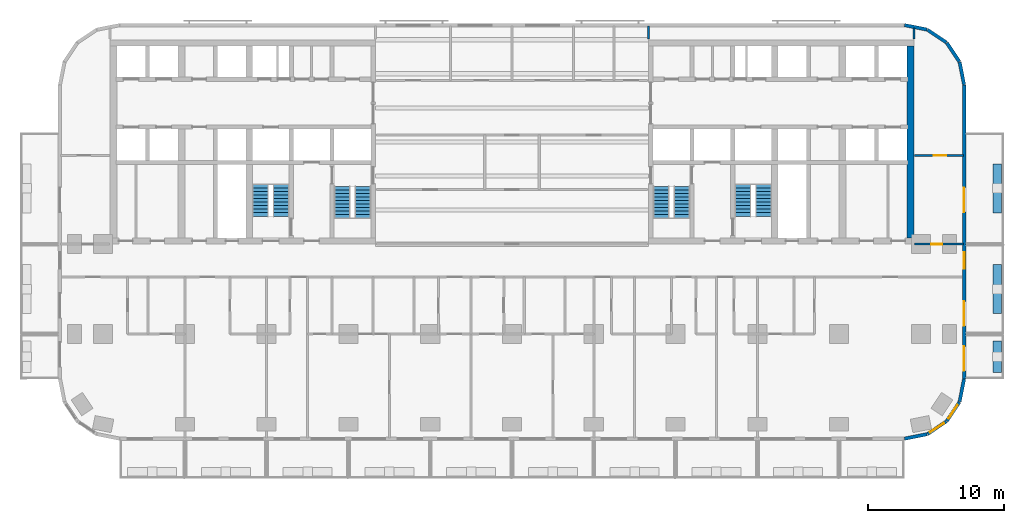
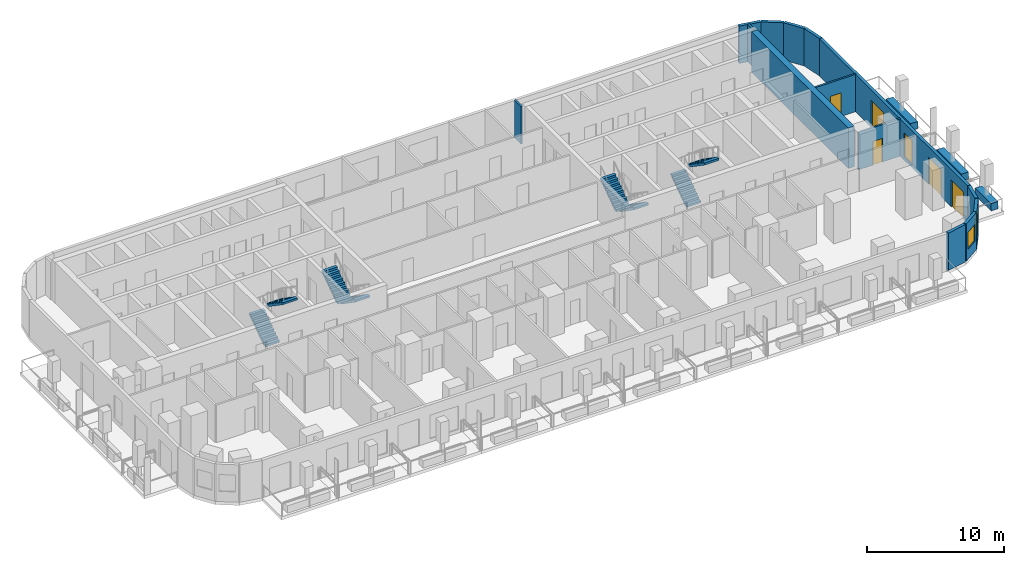
# One storey, part 8 of 13: 17 walls, 8 stair flights, 5 doors, 3 windows, 8 openings, 4 elements without a shape of their own.
"""IFC4 building model written with IfcOpenShell, lengths in metres."""

from ifc_helpers import new_model, si_unit, direction, frame, frame_2d, origin, place, context, subcontext, project, spatial, polyline, rectangle, outline, extrude, material, layer, layer_set, type_object, element, fill, aggregate, save


model = new_model("IFC4")

# Units and contexts
model_context = context("Model", 3, precision=1e-05, world=origin(), true_north=direction((0.0, 1.0)))
body_context = subcontext(model_context, "Body", "Model", "MODEL_VIEW")
ifc_project = project(units=[si_unit("LENGTHUNIT", "METRE"), si_unit("AREAUNIT", "SQUARE_METRE"), si_unit("VOLUMEUNIT", "CUBIC_METRE"), si_unit("PLANEANGLEUNIT", "RADIAN"), si_unit("MASSUNIT", "GRAM", prefix="KILO")], contexts=[model_context])

# Site, building, storey
site_placement = place(None, origin())
site = spatial("IfcSite", under=ifc_project, at=site_placement, CompositionType="ELEMENT")
building_placement = place(site_placement, origin())
building = spatial("IfcBuilding", under=site, at=building_placement, Name="Torana Hotel and Residences", CompositionType="ELEMENT")
storey_placement = place(building_placement, frame((0.0, 0.0, 78.0)))
storey = spatial("IfcBuildingStorey", under=building, at=storey_placement, Name="L19", CompositionType="ELEMENT", Elevation=78.0)

# Walls
ifc_material_1 = material(Name="Concrete C80/95", Category="concrete")
ifc_layer_1 = layer(ifc_material_1, 0.5)
ifc_layer_set_1 = layer_set([ifc_layer_1], Name="CORE WALL 500 C80/95")
wall_type_1 = type_object("IfcWallType", Name="CORE WALL 500 C80/95", PredefinedType="SHEAR", material=ifc_layer_set_1)
wall_1_placement = place(storey_placement, frame((29.25, -14.550048828125, 0.0), z_axis=(0.0, 0.0, 1.0), x_axis=(0.0, 1.0, 0.0)))
element("IfcWall", 1, at=wall_1_placement, inside=storey, type_object=wall_type_1, Name="Core wall E outer", PredefinedType="SHEAR", context=body_context, shape_type="SweptSolid", body=[
    extrude(rectangle(XDim=14.10009765625, YDim=0.5, at=frame_2d((7.050048828125, 0.0))), origin(), (0.0, 0.0, 1.0), 3.60009765625),
])
ifc_material_2 = material(Name="Black aluminium composite panel", Category="aluminium")
ifc_layer_2 = layer(ifc_material_2, 0.00390625, Name="Cladding", Category="cladding")
ifc_material_3 = material(Name="Ventilated air cavity")
ifc_layer_3 = layer(ifc_material_3, 0.0400390625, Name="Ventilated cavity", Category="cavity")
ifc_material_4 = material(Name="Mineral wool insulation")
ifc_layer_4 = layer(ifc_material_4, 0.090087890625, Name="Insulation", Category="insulation")
ifc_material_5 = material(Name="Steel S280GD", Category="steel")
ifc_layer_5 = layer(ifc_material_5, 0.092041015625, Name="Steel stud frame", Category="structure")
ifc_material_6 = material(Name="Fire rated plasterboard")
ifc_layer_6 = layer(ifc_material_6, 0.011962890625, Name="Inner board", Category="finish")
ifc_layer_7 = layer(ifc_material_6, 0.011962890625, Name="Second board", Category="finish")
ifc_layer_set_2 = layer_set([ifc_layer_2, ifc_layer_3, ifc_layer_4, ifc_layer_5, ifc_layer_6, ifc_layer_7], Name="EW1 EXTERNAL WALL BLACK METAL CLAD 250")
wall_type_2 = type_object("IfcWallType", Name="EW1 EXTERNAL WALL BLACK METAL CLAD 250", PredefinedType="SOLIDWALL", material=ifc_layer_set_2)
wall_2_placement = place(storey_placement, frame((33.172607421875, -3.30029296875, 0.0), z_axis=(0.0, 0.0, 1.0), x_axis=(-0.19513878023, 0.980775640221, 0.0)))
element("IfcWall", 2, at=wall_2_placement, inside=storey, type_object=wall_type_2, Name="External wall L19 e0.0", PredefinedType="SOLIDWALL", context=body_context, shape_type="SweptSolid", body=[
    extrude(rectangle(XDim=1.681396484375, YDim=0.25, at=frame_2d((0.8408203125, 0.0))), origin(), (0.0, 0.0, 1.0), 3.320068359375),
])
for number, where, z_axis, x_axis, name in (
    (3, (32.825927734375, -1.60595703125, 0.0), (0.0, 0.0, 1.0), (-0.55555029066, 0.831482937015, 0.0), "External wall L19 e0.1"),
    (4, (31.87109375, -0.1943359375, 0.0), (0.0, 0.0, 1.0), (-0.831482937015, 0.55555029066, 0.0), "External wall L19 e0.2"),
):
    element("IfcWall", number, at=place(storey_placement, frame(where, z_axis=z_axis, x_axis=x_axis)), inside=storey, type_object=wall_type_2, Name=name, PredefinedType="SOLIDWALL", context=body_context, shape_type="SweptSolid", body=[
        extrude(rectangle(XDim=1.65625, YDim=0.25, at=frame_2d((0.828125, 0.0))), origin(), (0.0, 0.0, 1.0), 3.320068359375),
    ])
for number, where, z_axis, x_axis, name in (
    (5, (30.448974609375, 0.74462890625, 0.0), (0.0, 0.0, 1.0), (-0.980803419081, 0.194999110559, 0.0), "External wall L19 e0.3"),
    (6, (28.7998046875, -29.272705078125, 0.0), (0.0, 0.0, 1.0), (0.980775640221, 0.19513878023, 0.0), "External wall L19 e0.15"),
):
    element("IfcWall", number, at=place(storey_placement, frame(where, z_axis=z_axis, x_axis=x_axis)), inside=storey, type_object=wall_type_2, Name=name, PredefinedType="SOLIDWALL", context=body_context, shape_type="SweptSolid", body=[
        extrude(rectangle(XDim=1.681396484375, YDim=0.25, at=frame_2d((0.8408203125, 0.0))), origin(), (0.0, 0.0, 1.0), 3.320068359375),
    ])

# Wall, opening, window
wall_3_placement = place(storey_placement, frame((30.493896484375, -28.92578125, 0.0), z_axis=(0.0, 0.0, 1.0), x_axis=(0.831482937015, 0.55555029066, 0.0)))
wall_3 = element("IfcWall", 7, at=wall_3_placement, inside=storey, type_object=wall_type_2, Name="External wall L19 e0.16", PredefinedType="SOLIDWALL", context=body_context, shape_type="SweptSolid", body=[
    extrude(rectangle(XDim=1.65625, YDim=0.25, at=frame_2d((0.828125, 0.0))), origin(), (0.0, 0.0, 1.0), 3.320068359375),
])
opening_1_placement = place(wall_3_placement, frame((0.228271484375, 0.0, 0.89990234375)))
opening_1 = element("IfcOpeningElement", 8, at=opening_1_placement, cuts=wall_3, Name="Opening W5", PredefinedType="OPENING", context=body_context, shape_type="SweptSolid", body=[
    extrude(rectangle(XDim=1.199951171875, YDim=1.5, at=frame_2d((0.60009765625, 0.75))), frame((0.0, 0.135009765625, 0.0), z_axis=(0.0, -1.0, 0.0), x_axis=(1.0, 0.0, 0.0)), (0.0, 0.0, 1.0), 0.27001953125),
])
ifc_material_7 = material(Name="Dark glass in black aluminium frame", Category="aluminium")
window_type_1 = type_object("IfcWindowType", Name="W5 CORNER FACET WINDOW 1200x1500", PartitioningType="SINGLE_PANEL", PredefinedType="WINDOW", material=ifc_material_7)
window_1_placement = place(opening_1_placement, origin())
window_1 = element("IfcWindow", 9, at=window_1_placement, inside=storey, type_object=window_type_1, Name="Window L19 e0.16", OverallHeight=1.5, OverallWidth=1.199951171875, PartitioningType="SINGLE_PANEL", PredefinedType="WINDOW", context=body_context, shape_type="SweptSolid", body=[
    extrude(rectangle(XDim=1.199951171875, YDim=1.5, at=frame_2d((0.60009765625, 0.75))), frame((0.0, 0.030029296875, 0.0), z_axis=(0.0, -1.0, 0.0), x_axis=(1.0, 0.0, 0.0)), (0.0, 0.0, 1.0), 0.06005859375),
])
fill(opening_1, window_1)

wall_4_placement = place(storey_placement, frame((31.90576171875, -27.97119140625, 0.0), z_axis=(0.0, 0.0, 1.0), x_axis=(0.55555029066, 0.831482937015, 0.0)))
wall_4 = element("IfcWall", 10, at=wall_4_placement, inside=storey, type_object=wall_type_2, Name="External wall L19 e0.17", PredefinedType="SOLIDWALL", context=body_context, shape_type="SweptSolid", body=[
    extrude(rectangle(XDim=1.65625, YDim=0.25, at=frame_2d((0.828125, 0.0))), origin(), (0.0, 0.0, 1.0), 3.320068359375),
])
opening_2_placement = place(wall_4_placement, frame((0.228271484375, 0.0, 0.89990234375)))
opening_2 = element("IfcOpeningElement", 11, at=opening_2_placement, cuts=wall_4, Name="Opening W5", PredefinedType="OPENING", context=body_context, shape_type="SweptSolid", body=[
    extrude(rectangle(XDim=1.199951171875, YDim=1.5, at=frame_2d((0.60009765625, 0.75))), frame((0.0, 0.135009765625, 0.0), z_axis=(0.0, -1.0, 0.0), x_axis=(1.0, 0.0, 0.0)), (0.0, 0.0, 1.0), 0.27001953125),
])
window_2_placement = place(opening_2_placement, origin())
window_2 = element("IfcWindow", 12, at=window_2_placement, inside=storey, type_object=window_type_1, Name="Window L19 e0.17", OverallHeight=1.5, OverallWidth=1.199951171875, PartitioningType="SINGLE_PANEL", PredefinedType="WINDOW", context=body_context, shape_type="SweptSolid", body=[
    extrude(rectangle(XDim=1.199951171875, YDim=1.5, at=frame_2d((0.60009765625, 0.75))), frame((0.0, 0.030029296875, 0.0), z_axis=(0.0, -1.0, 0.0), x_axis=(1.0, 0.0, 0.0)), (0.0, 0.0, 1.0), 0.06005859375),
])
fill(opening_2, window_2)

# Wall
wall_5_placement = place(storey_placement, frame((32.844482421875, -26.548828125, 0.0), z_axis=(0.0, 0.0, 1.0), x_axis=(0.195166572128, 0.980770110232, 0.0)))
element("IfcWall", 13, at=wall_5_placement, inside=storey, type_object=wall_type_2, Name="External wall L19 e0.18", PredefinedType="SOLIDWALL", context=body_context, shape_type="SweptSolid", body=[
    extrude(rectangle(XDim=1.68115234375, YDim=0.25, at=frame_2d((0.840576171875, 0.0))), origin(), (0.0, 0.0, 1.0), 3.320068359375),
])

# Wall, openings, doors, window
wall_6_placement = place(storey_placement, frame((33.175048828125, -24.87548828125, 0.0), z_axis=(0.0, 0.0, 1.0), x_axis=(0.0, 1.0, 0.0)))
wall_6 = element("IfcWall", 14, at=wall_6_placement, inside=storey, type_object=wall_type_2, Name="External wall L19 e0.19", PredefinedType="SOLIDWALL", context=body_context, shape_type="SweptSolid", body=[
    extrude(rectangle(XDim=21.55078125, YDim=0.25, at=frame_2d((10.775390625, 0.0))), origin(), (0.0, 0.0, 1.0), 3.320068359375),
])
opening_3_placement = place(wall_6_placement, frame((0.575439453125, 0.0, 0.0)))
opening_3 = element("IfcOpeningElement", 15, at=opening_3_placement, cuts=wall_6, Name="Opening L19-E11", PredefinedType="OPENING", context=body_context, shape_type="SweptSolid", body=[
    extrude(rectangle(XDim=1.800048828125, YDim=2.39990234375, at=frame_2d((0.89990234375, 1.199951171875))), frame((0.0, 0.135009765625, 0.0), z_axis=(0.0, -1.0, 0.0), x_axis=(1.0, 0.0, 0.0)), (0.0, 0.0, 1.0), 0.27001953125),
])
opening_4_placement = place(wall_6_placement, frame((3.87548828125, 0.0, 0.0)))
opening_4 = element("IfcOpeningElement", 16, at=opening_4_placement, cuts=wall_6, Name="Opening L19-E12", PredefinedType="OPENING", context=body_context, shape_type="SweptSolid", body=[
    extrude(rectangle(XDim=1.800048828125, YDim=2.39990234375, at=frame_2d((0.89990234375, 1.199951171875))), frame((0.0, 0.135009765625, 0.0), z_axis=(0.0, -1.0, 0.0), x_axis=(1.0, 0.0, 0.0)), (0.0, 0.0, 1.0), 0.27001953125),
])
opening_5_placement = place(wall_6_placement, frame((8.075439453125, 0.0, 0.300048828125)))
opening_5 = element("IfcOpeningElement", 17, at=opening_5_placement, cuts=wall_6, Name="Opening W7", PredefinedType="OPENING", context=body_context, shape_type="SweptSolid", body=[
    extrude(rectangle(XDim=1.199951171875, YDim=2.10009765625, at=frame_2d((0.60009765625, 1.050048828125))), frame((0.0, 0.135009765625, 0.0), z_axis=(0.0, -1.0, 0.0), x_axis=(1.0, 0.0, 0.0)), (0.0, 0.0, 1.0), 0.27001953125),
])
opening_6_placement = place(wall_6_placement, frame((12.225341796875, 0.0, 0.0)))
opening_6 = element("IfcOpeningElement", 18, at=opening_6_placement, cuts=wall_6, Name="Opening L19-E13", PredefinedType="OPENING", context=body_context, shape_type="SweptSolid", body=[
    extrude(rectangle(XDim=1.800048828125, YDim=2.39990234375, at=frame_2d((0.89990234375, 1.199951171875))), frame((0.0, 0.135009765625, 0.0), z_axis=(0.0, -1.0, 0.0), x_axis=(1.0, 0.0, 0.0)), (0.0, 0.0, 1.0), 0.27001953125),
])
ifc_material_8 = material(Name="Dark glass in black aluminium frame", Category="aluminium")
door_type_1 = type_object("IfcDoorType", Name="DB1 BALCONY DOOR 1800x2400", OperationType="DOUBLE_DOOR_SINGLE_SWING", PredefinedType="DOOR", material=ifc_material_8)
door_1_placement = place(opening_3_placement, origin())
door_1 = element("IfcDoor", 19, at=door_1_placement, inside=storey, type_object=door_type_1, Name="Balcony door L19", OperationType="DOUBLE_DOOR_SINGLE_SWING", OverallHeight=2.39990234375, OverallWidth=1.800048828125, PredefinedType="DOOR", context=body_context, shape_type="SweptSolid", body=[
    extrude(rectangle(XDim=1.800048828125, YDim=2.39990234375, at=frame_2d((0.89990234375, 1.199951171875))), frame((0.0, 0.02490234375, 0.0), z_axis=(0.0, -1.0, 0.0), x_axis=(1.0, 0.0, 0.0)), (0.0, 0.0, 1.0), 0.050048828125),
])
fill(opening_3, door_1)
door_2_placement = place(opening_4_placement, frame((0.89990234375, 0.0, 0.0), z_axis=(0.0, 0.0, 1.0), x_axis=(-1.0, 0.0, 0.0)))
door_2 = element("IfcDoor", 20, at=door_2_placement, inside=storey, type_object=door_type_1, Name="Balcony door L19", OperationType="DOUBLE_DOOR_SINGLE_SWING", OverallHeight=2.39990234375, OverallWidth=1.800048828125, PredefinedType="DOOR", context=body_context, shape_type="SweptSolid", body=[
    extrude(rectangle(XDim=1.800048828125, YDim=2.39990234375, at=frame_2d((0.0, 1.199951171875))), frame((0.0, -0.02490234375, 0.0), z_axis=(0.0, 1.0, 0.0), x_axis=(-1.0, 0.0, 0.0)), (0.0, 0.0, 1.0), 0.050048828125),
])
fill(opening_4, door_2)
door_3_placement = place(opening_6_placement, origin())
door_3 = element("IfcDoor", 21, at=door_3_placement, inside=storey, type_object=door_type_1, Name="Balcony door L19", OperationType="DOUBLE_DOOR_SINGLE_SWING", OverallHeight=2.39990234375, OverallWidth=1.800048828125, PredefinedType="DOOR", context=body_context, shape_type="SweptSolid", body=[
    extrude(rectangle(XDim=1.800048828125, YDim=2.39990234375, at=frame_2d((0.89990234375, 1.199951171875))), frame((0.0, 0.02490234375, 0.0), z_axis=(0.0, -1.0, 0.0), x_axis=(1.0, 0.0, 0.0)), (0.0, 0.0, 1.0), 0.050048828125),
])
fill(opening_6, door_3)
ifc_material_9 = material(Name="Dark glass in black aluminium frame", Category="aluminium")
window_type_2 = type_object("IfcWindowType", Name="W7 HOTEL CORRIDOR WINDOW 1200x2100", PartitioningType="SINGLE_PANEL", PredefinedType="WINDOW", material=ifc_material_9)
window_3_placement = place(opening_5_placement, origin())
window_3 = element("IfcWindow", 22, at=window_3_placement, inside=storey, type_object=window_type_2, Name="Window L19", OverallHeight=2.10009765625, OverallWidth=1.199951171875, PartitioningType="SINGLE_PANEL", PredefinedType="WINDOW", context=body_context, shape_type="SweptSolid", body=[
    extrude(rectangle(XDim=1.199951171875, YDim=2.10009765625, at=frame_2d((0.60009765625, 1.050048828125))), frame((0.0, 0.030029296875, 0.0), z_axis=(0.0, -1.0, 0.0), x_axis=(1.0, 0.0, 0.0)), (0.0, 0.0, 1.0), 0.06005859375),
])
fill(opening_5, window_3)

# Wall, opening, door
ifc_material_10 = material(Name="Gypsum plaster")
ifc_layer_8 = layer(ifc_material_10, 0.014892578125, Name="Plaster", Category="finish")
ifc_material_11 = material(Name="Concrete blockwork", Category="masonry")
ifc_layer_9 = layer(ifc_material_11, 0.1201171875, Name="Blockwork", Category="structure")
ifc_layer_10 = layer(ifc_material_10, 0.014892578125, Name="Plaster", Category="finish")
ifc_layer_set_3 = layer_set([ifc_layer_8, ifc_layer_9, ifc_layer_10], Name="FIRE PARTITION 150 BLOCKWORK")
wall_type_3 = type_object("IfcWallType", Name="FIRE PARTITION 150 BLOCKWORK", PredefinedType="PARTITIONING", material=ifc_layer_set_3)
wall_7_placement = place(storey_placement, frame((29.550048828125, -15.0, 0.0), z_axis=(0.0, 0.0, 1.0), x_axis=(1.0, 0.0, 0.0)))
wall_7 = element("IfcWall", 23, at=wall_7_placement, inside=storey, type_object=wall_type_3, Name="Partition L19", PredefinedType="PARTITIONING", context=body_context, shape_type="SweptSolid", body=[
    extrude(rectangle(XDim=3.570068359375, YDim=0.14990234375, at=frame_2d((1.78515625, 0.0))), origin(), (0.0, 0.0, 1.0), 3.320068359375),
])
opening_7_placement = place(wall_7_placement, frame((1.205078125, 0.0, 0.0)))
opening_7 = element("IfcOpeningElement", 24, at=opening_7_placement, cuts=wall_7, Name="Opening L19-48", PredefinedType="OPENING", context=body_context, shape_type="SweptSolid", body=[
    extrude(rectangle(XDim=0.800048828125, YDim=2.10009765625, at=frame_2d((0.39990234375, 1.050048828125))), frame((0.0, 0.0849609375, 0.0), z_axis=(0.0, -1.0, 0.0), x_axis=(1.0, 0.0, 0.0)), (0.0, 0.0, 1.0), 0.169921875),
])
ifc_material_12 = material(Name="Steel S235", Category="steel")
door_type_2 = type_object("IfcDoorType", Name="STORE FIRE DOOR D16 800x2100", OperationType="SINGLE_SWING_LEFT", PredefinedType="DOOR", material=ifc_material_12)
door_4_placement = place(opening_7_placement, origin())
door_4 = element("IfcDoor", 25, at=door_4_placement, inside=storey, type_object=door_type_2, Name="Door L19", OperationType="SINGLE_SWING_RIGHT", OverallHeight=2.10009765625, OverallWidth=0.800048828125, PredefinedType="DOOR", context=body_context, shape_type="SweptSolid", body=[
    extrude(rectangle(XDim=0.800048828125, YDim=2.10009765625, at=frame_2d((0.39990234375, 1.050048828125))), frame((0.0, 0.02490234375, 0.0), z_axis=(0.0, -1.0, 0.0), x_axis=(1.0, 0.0, 0.0)), (0.0, 0.0, 1.0), 0.050048828125),
])
fill(opening_7, door_4)

# Wall
ifc_material_13 = material(Name="Gypsum plasterboard")
ifc_layer_11 = layer(ifc_material_13, 0.012451171875, Name="Plasterboard", Category="finish")
ifc_layer_12 = layer(ifc_material_13, 0.012451171875, Name="Plasterboard", Category="finish")
ifc_layer_13 = layer(ifc_material_5, 0.10009765625, Name="Steel studs with mineral wool", Category="insulation")
ifc_layer_14 = layer(ifc_material_13, 0.012451171875, Name="Plasterboard", Category="finish")
ifc_layer_15 = layer(ifc_material_13, 0.012451171875, Name="Plasterboard", Category="finish")
ifc_layer_set_4 = layer_set([ifc_layer_11, ifc_layer_12, ifc_layer_13, ifc_layer_14, ifc_layer_15], Name="PARTITION 150 PLASTERBOARD")
wall_type_4 = type_object("IfcWallType", Name="PARTITION 150 PLASTERBOARD", PredefinedType="PARTITIONING", material=ifc_layer_set_4)
wall_8_placement = place(storey_placement, frame((29.5, 0.050048828125, 0.0), z_axis=(0.0, 0.0, 1.0), x_axis=(0.0, 1.0, 0.0)))
element("IfcWall", 26, at=wall_8_placement, inside=storey, type_object=wall_type_4, Name="Partition L19", PredefinedType="PARTITIONING", context=body_context, shape_type="SweptSolid", body=[
    extrude(rectangle(XDim=0.8271484375, YDim=0.14990234375, at=frame_2d((0.41357421875, 0.0))), origin(), (0.0, 0.0, 1.0), 3.320068359375),
])

# Wall, opening, door
wall_9_placement = place(storey_placement, frame((29.550048828125, -8.5, 0.0), z_axis=(0.0, 0.0, 1.0), x_axis=(1.0, 0.0, 0.0)))
wall_9 = element("IfcWall", 27, at=wall_9_placement, inside=storey, type_object=wall_type_4, Name="Partition L19", PredefinedType="PARTITIONING", context=body_context, shape_type="SweptSolid", body=[
    extrude(rectangle(XDim=3.570068359375, YDim=0.14990234375, at=frame_2d((1.78515625, 0.0))), origin(), (0.0, 0.0, 1.0), 3.320068359375),
])
opening_8_placement = place(wall_9_placement, frame((1.39990234375, 0.0, 0.0)))
opening_8 = element("IfcOpeningElement", 28, at=opening_8_placement, cuts=wall_9, Name="Opening L19-80", PredefinedType="OPENING", context=body_context, shape_type="SweptSolid", body=[
    extrude(rectangle(XDim=0.89990234375, YDim=2.10009765625, at=frame_2d((0.449951171875, 1.050048828125))), frame((0.0, 0.0849609375, 0.0), z_axis=(0.0, -1.0, 0.0), x_axis=(1.0, 0.0, 0.0)), (0.0, 0.0, 1.0), 0.169921875),
])
ifc_material_14 = material(Name="Timber door, oiled ash", Category="wood")
door_type_3 = type_object("IfcDoorType", Name="ROOM DOOR D7 900x2100", OperationType="SINGLE_SWING_LEFT", PredefinedType="DOOR", material=ifc_material_14)
door_5_placement = place(opening_8_placement, origin())
door_5 = element("IfcDoor", 29, at=door_5_placement, inside=storey, type_object=door_type_3, Name="Door L19", OperationType="SINGLE_SWING_LEFT", OverallHeight=2.10009765625, OverallWidth=0.89990234375, PredefinedType="DOOR", context=body_context, shape_type="SweptSolid", body=[
    extrude(rectangle(XDim=0.89990234375, YDim=2.10009765625, at=frame_2d((0.449951171875, 1.050048828125))), frame((0.0, 0.02490234375, 0.0), z_axis=(0.0, -1.0, 0.0), x_axis=(1.0, 0.0, 0.0)), (0.0, 0.0, 1.0), 0.050048828125),
])
fill(opening_8, door_5)

# Walls
ifc_material_15 = material(Name="Concrete C40/50 precast", Category="concrete")
ifc_layer_16 = layer(ifc_material_15, 0.10009765625, Name="Planter shell", Category="structure")
ifc_material_16 = material(Name="Root resistant membrane")
ifc_layer_17 = layer(ifc_material_16, 0.00390625, Name="Waterproofing membrane", Category="membrane")
ifc_material_17 = material(Name="Drainage board with filter fleece")
ifc_layer_18 = layer(ifc_material_17, 0.02001953125, Name="Drainage board", Category="drainage")
ifc_material_18 = material(Name="Growing medium")
ifc_layer_19 = layer(ifc_material_18, 0.47607421875, Name="Planting substrate", Category="soil")
ifc_layer_set_5 = layer_set([ifc_layer_16, ifc_layer_17, ifc_layer_18, ifc_layer_19], Name="PL1 BALCONY PLANTER 600")
wall_type_5 = type_object("IfcWallType", Name="PL1 BALCONY PLANTER 600", PredefinedType="USERDEFINED", material=ifc_layer_set_5)
wall_10_placement = place(storey_placement, frame((35.60009765625, -22.10009765625, 0.0), z_axis=(0.0, 0.0, 1.0), x_axis=(0.0, -1.0, 0.0)))
element("IfcWall", 30, at=wall_10_placement, inside=storey, type_object=wall_type_5, Name="Planter 14", ObjectType="PLANTER", PredefinedType="USERDEFINED", context=body_context, shape_type="SweptSolid", body=[
    extrude(rectangle(XDim=2.2998046875, YDim=0.60009765625, at=frame_2d((1.14990234375, 0.0))), origin(), (0.0, 0.0, 1.0), 0.64990234375),
])
wall_11_placement = place(storey_placement, frame((35.60009765625, -16.5, 0.0), z_axis=(0.0, 0.0, 1.0), x_axis=(0.0, -1.0, 0.0)))
element("IfcWall", 31, at=wall_11_placement, inside=storey, type_object=wall_type_5, Name="Planter 15", ObjectType="PLANTER", PredefinedType="USERDEFINED", context=body_context, shape_type="SweptSolid", body=[
    extrude(rectangle(XDim=3.60009765625, YDim=0.60009765625, at=frame_2d((1.800048828125, 0.0))), origin(), (0.0, 0.0, 1.0), 0.64990234375),
])
wall_12_placement = place(storey_placement, frame((35.60009765625, -9.10009765625, 0.0), z_axis=(0.0, 0.0, 1.0), x_axis=(0.0, -1.0, 0.0)))
element("IfcWall", 32, at=wall_12_placement, inside=storey, type_object=wall_type_5, Name="Planter 16", ObjectType="PLANTER", PredefinedType="USERDEFINED", context=body_context, shape_type="SweptSolid", body=[
    extrude(rectangle(XDim=3.599853515625, YDim=0.60009765625, at=frame_2d((1.7998046875, 0.0))), origin(), (0.0, 0.0, 1.0), 0.64990234375),
])
ifc_material_19 = material(Name="Ceramic tile on adhesive")
ifc_layer_20 = layer(ifc_material_19, 0.010009765625, Name="Wall tile", Category="finish")
ifc_material_20 = material(Name="Cement render")
ifc_layer_21 = layer(ifc_material_20, 0.010009765625, Name="Render", Category="finish")
ifc_layer_22 = layer(ifc_material_11, 0.110107421875, Name="Blockwork", Category="structure")
ifc_layer_23 = layer(ifc_material_20, 0.010009765625, Name="Render", Category="finish")
ifc_layer_24 = layer(ifc_material_19, 0.010009765625, Name="Wall tile", Category="finish")
ifc_layer_set_6 = layer_set([ifc_layer_20, ifc_layer_21, ifc_layer_22, ifc_layer_23, ifc_layer_24], Name="WC PARTITION 150")
wall_type_6 = type_object("IfcWallType", Name="WC PARTITION 150", PredefinedType="PLUMBINGWALL", material=ifc_layer_set_6)
wall_13_placement = place(storey_placement, frame((10.0, 0.050048828125, 0.0), z_axis=(0.0, 0.0, 1.0), x_axis=(0.0, 1.0, 0.0)))
element("IfcWall", 33, at=wall_13_placement, inside=storey, type_object=wall_type_6, Name="Partition L19", PredefinedType="PLUMBINGWALL", context=body_context, shape_type="SweptSolid", body=[
    extrude(rectangle(XDim=0.969970703125, YDim=0.14990234375, at=frame_2d((0.48486328125, 0.0))), origin(), (0.0, 0.0, 1.0), 3.320068359375),
])

# Stair, stair flights
ifc_material_21 = material(Name="Concrete C40/50 precast", Category="concrete")
stair_type_1 = type_object("IfcStairType", Name="STAIR ST1 HALF TURN 1200", PredefinedType="HALF_TURN_STAIR", material=ifc_material_21)
stair_1_placement = place(storey_placement, origin())
stair_1 = element("IfcStair", 34, at=stair_1_placement, inside=storey, type_object=stair_type_1, Name="Stair ST1 L19", PredefinedType="HALF_TURN_STAIR")
ifc_material_22 = material(Name="Concrete C40/50 precast", Category="concrete")
stair_flight_type = type_object("IfcStairFlightType", Name="STAIR FLIGHT 1200 PRECAST", PredefinedType="STRAIGHT", material=ifc_material_22)
stair_flight_1_placement = place(storey_placement, frame((-10.949951171875, -10.75, 0.0), z_axis=(0.0, 0.0, 1.0), x_axis=(0.0, -1.0, 0.0)))
stair_flight_1 = element("IfcStairFlight", 35, at=stair_flight_1_placement, type_object=stair_flight_type, Name="ST1 flight 1", NumberOfRisers=10, NumberOfTreads=9, PredefinedType="STRAIGHT", RiserHeight=0.18, TreadLength=0.26, context=body_context, shape_type="SweptSolid", body=[
    extrude(outline(polyline([(0.0, 0.0), (0.0, 0.179931640625), (0.260009765625, 0.179931640625), (0.260009765625, 0.360107421875), (0.52001953125, 0.360107421875), (0.52001953125, 0.5400390625), (0.780029296875, 0.5400390625), (0.780029296875, 0.719970703125), (1.0400390625, 0.719970703125), (1.0400390625, 0.89990234375), (1.300048828125, 0.89990234375), (1.300048828125, 1.080078125), (1.56005859375, 1.080078125), (1.56005859375, 1.260009765625), (1.820068359375, 1.260009765625), (1.820068359375, 1.43994140625), (2.080078125, 1.43994140625), (2.080078125, 1.6201171875), (2.340087890625, 1.6201171875), (2.340087890625, 1.800048828125), (2.340087890625, 1.437744140625), (0.263427734375, 0.0), (0.0, 0.0)])), frame((0.0, 0.60009765625, 0.0), z_axis=(0.0, -1.0, 0.0), x_axis=(1.0, 0.0, 0.0)), (0.0, 0.0, 1.0), 1.199951171875),
])
stair_flight_2_placement = place(storey_placement, frame((-12.449951171875, -13.090087890625, 1.800048828125), z_axis=(0.0, 0.0, 1.0), x_axis=(0.0, 1.0, 0.0)))
stair_flight_2 = element("IfcStairFlight", 36, at=stair_flight_2_placement, type_object=stair_flight_type, Name="ST1 flight 2", NumberOfRisers=10, NumberOfTreads=9, PredefinedType="STRAIGHT", RiserHeight=0.18, TreadLength=0.26, context=body_context, shape_type="SweptSolid", body=[
    extrude(outline(polyline([(0.0, 0.0), (0.0, 0.179931640625), (0.260009765625, 0.179931640625), (0.260009765625, 0.360107421875), (0.52001953125, 0.360107421875), (0.52001953125, 0.5400390625), (0.780029296875, 0.5400390625), (0.780029296875, 0.719970703125), (1.0400390625, 0.719970703125), (1.0400390625, 0.89990234375), (1.300048828125, 0.89990234375), (1.300048828125, 1.080078125), (1.56005859375, 1.080078125), (1.56005859375, 1.260009765625), (1.820068359375, 1.260009765625), (1.820068359375, 1.43994140625), (2.080078125, 1.43994140625), (2.080078125, 1.6201171875), (2.340087890625, 1.6201171875), (2.340087890625, 1.800048828125), (2.340087890625, 1.437744140625), (0.263427734375, 0.0), (0.0, 0.0)])), frame((0.0, 0.60009765625, 0.0), z_axis=(0.0, -1.0, 0.0), x_axis=(1.0, 0.0, 0.0)), (0.0, 0.0, 1.0), 1.199951171875),
])
aggregate(stair_1, [stair_flight_1, stair_flight_2])

ifc_material_23 = material(Name="Concrete C40/50 precast", Category="concrete")
stair_type_2 = type_object("IfcStairType", Name="STAIR ST2 HALF TURN 1200", PredefinedType="HALF_TURN_STAIR", material=ifc_material_23)
stair_2_placement = place(storey_placement, origin())
stair_2 = element("IfcStair", 37, at=stair_2_placement, inside=storey, type_object=stair_type_2, Name="Stair ST2 L19", PredefinedType="HALF_TURN_STAIR")
stair_flight_3_placement = place(storey_placement, frame((-18.449951171875, -12.949951171875, 0.0), z_axis=(0.0, 0.0, 1.0), x_axis=(0.0, 1.0, 0.0)))
stair_flight_3 = element("IfcStairFlight", 38, at=stair_flight_3_placement, type_object=stair_flight_type, Name="ST2 flight 1", NumberOfRisers=10, NumberOfTreads=9, PredefinedType="STRAIGHT", RiserHeight=0.18, TreadLength=0.26, context=body_context, shape_type="SweptSolid", body=[
    extrude(outline(polyline([(0.0, 0.0), (0.0, 0.179931640625), (0.260009765625, 0.179931640625), (0.260009765625, 0.360107421875), (0.52001953125, 0.360107421875), (0.52001953125, 0.5400390625), (0.780029296875, 0.5400390625), (0.780029296875, 0.719970703125), (1.0400390625, 0.719970703125), (1.0400390625, 0.89990234375), (1.300048828125, 0.89990234375), (1.300048828125, 1.080078125), (1.56005859375, 1.080078125), (1.56005859375, 1.260009765625), (1.820068359375, 1.260009765625), (1.820068359375, 1.43994140625), (2.080078125, 1.43994140625), (2.080078125, 1.6201171875), (2.340087890625, 1.6201171875), (2.340087890625, 1.800048828125), (2.340087890625, 1.437744140625), (0.263427734375, 0.0), (0.0, 0.0)])), frame((0.0, 0.60009765625, 0.0), z_axis=(0.0, -1.0, 0.0), x_axis=(1.0, 0.0, 0.0)), (0.0, 0.0, 1.0), 1.199951171875),
])
stair_flight_4_placement = place(storey_placement, frame((-16.949951171875, -10.610107421875, 1.800048828125), z_axis=(0.0, 0.0, 1.0), x_axis=(0.0, -1.0, 0.0)))
stair_flight_4 = element("IfcStairFlight", 39, at=stair_flight_4_placement, type_object=stair_flight_type, Name="ST2 flight 2", NumberOfRisers=10, NumberOfTreads=9, PredefinedType="STRAIGHT", RiserHeight=0.18, TreadLength=0.26, context=body_context, shape_type="SweptSolid", body=[
    extrude(outline(polyline([(0.0, 0.0), (0.0, 0.179931640625), (0.260009765625, 0.179931640625), (0.260009765625, 0.360107421875), (0.52001953125, 0.360107421875), (0.52001953125, 0.5400390625), (0.780029296875, 0.5400390625), (0.780029296875, 0.719970703125), (1.0400390625, 0.719970703125), (1.0400390625, 0.89990234375), (1.300048828125, 0.89990234375), (1.300048828125, 1.080078125), (1.56005859375, 1.080078125), (1.56005859375, 1.260009765625), (1.820068359375, 1.260009765625), (1.820068359375, 1.43994140625), (2.080078125, 1.43994140625), (2.080078125, 1.6201171875), (2.340087890625, 1.6201171875), (2.340087890625, 1.800048828125), (2.340087890625, 1.437744140625), (0.263427734375, 0.0), (0.0, 0.0)])), frame((0.0, 0.60009765625, 0.0), z_axis=(0.0, -1.0, 0.0), x_axis=(1.0, 0.0, 0.0)), (0.0, 0.0, 1.0), 1.199951171875),
])
aggregate(stair_2, [stair_flight_3, stair_flight_4])

ifc_material_24 = material(Name="Concrete C40/50 precast", Category="concrete")
stair_type_3 = type_object("IfcStairType", Name="STAIR ST3 HALF TURN 1200", PredefinedType="HALF_TURN_STAIR", material=ifc_material_24)
stair_3_placement = place(storey_placement, origin())
stair_3 = element("IfcStair", 40, at=stair_3_placement, inside=storey, type_object=stair_type_3, Name="Stair ST3 L19", PredefinedType="HALF_TURN_STAIR")
stair_flight_5_placement = place(storey_placement, frame((12.449951171875, -10.75, 0.0), z_axis=(0.0, 0.0, 1.0), x_axis=(0.0, -1.0, 0.0)))
stair_flight_5 = element("IfcStairFlight", 41, at=stair_flight_5_placement, type_object=stair_flight_type, Name="ST3 flight 1", NumberOfRisers=10, NumberOfTreads=9, PredefinedType="STRAIGHT", RiserHeight=0.18, TreadLength=0.26, context=body_context, shape_type="SweptSolid", body=[
    extrude(outline(polyline([(0.0, 0.0), (0.0, 0.179931640625), (0.260009765625, 0.179931640625), (0.260009765625, 0.360107421875), (0.52001953125, 0.360107421875), (0.52001953125, 0.5400390625), (0.780029296875, 0.5400390625), (0.780029296875, 0.719970703125), (1.0400390625, 0.719970703125), (1.0400390625, 0.89990234375), (1.300048828125, 0.89990234375), (1.300048828125, 1.080078125), (1.56005859375, 1.080078125), (1.56005859375, 1.260009765625), (1.820068359375, 1.260009765625), (1.820068359375, 1.43994140625), (2.080078125, 1.43994140625), (2.080078125, 1.6201171875), (2.340087890625, 1.6201171875), (2.340087890625, 1.800048828125), (2.340087890625, 1.437744140625), (0.263427734375, 0.0), (0.0, 0.0)])), frame((0.0, 0.60009765625, 0.0), z_axis=(0.0, -1.0, 0.0), x_axis=(1.0, 0.0, 0.0)), (0.0, 0.0, 1.0), 1.199951171875),
])
stair_flight_6_placement = place(storey_placement, frame((10.949951171875, -13.090087890625, 1.800048828125), z_axis=(0.0, 0.0, 1.0), x_axis=(0.0, 1.0, 0.0)))
stair_flight_6 = element("IfcStairFlight", 42, at=stair_flight_6_placement, type_object=stair_flight_type, Name="ST3 flight 2", NumberOfRisers=10, NumberOfTreads=9, PredefinedType="STRAIGHT", RiserHeight=0.18, TreadLength=0.26, context=body_context, shape_type="SweptSolid", body=[
    extrude(outline(polyline([(0.0, 0.0), (0.0, 0.179931640625), (0.260009765625, 0.179931640625), (0.260009765625, 0.360107421875), (0.52001953125, 0.360107421875), (0.52001953125, 0.5400390625), (0.780029296875, 0.5400390625), (0.780029296875, 0.719970703125), (1.0400390625, 0.719970703125), (1.0400390625, 0.89990234375), (1.300048828125, 0.89990234375), (1.300048828125, 1.080078125), (1.56005859375, 1.080078125), (1.56005859375, 1.260009765625), (1.820068359375, 1.260009765625), (1.820068359375, 1.43994140625), (2.080078125, 1.43994140625), (2.080078125, 1.6201171875), (2.340087890625, 1.6201171875), (2.340087890625, 1.800048828125), (2.340087890625, 1.437744140625), (0.263427734375, 0.0), (0.0, 0.0)])), frame((0.0, 0.60009765625, 0.0), z_axis=(0.0, -1.0, 0.0), x_axis=(1.0, 0.0, 0.0)), (0.0, 0.0, 1.0), 1.199951171875),
])
aggregate(stair_3, [stair_flight_5, stair_flight_6])

ifc_material_25 = material(Name="Concrete C40/50 precast", Category="concrete")
stair_type_4 = type_object("IfcStairType", Name="STAIR ST4 HALF TURN 1200", PredefinedType="HALF_TURN_STAIR", material=ifc_material_25)
stair_4_placement = place(storey_placement, origin())
stair_4 = element("IfcStair", 43, at=stair_4_placement, inside=storey, type_object=stair_type_4, Name="Stair ST4 L19", PredefinedType="HALF_TURN_STAIR")
stair_flight_7_placement = place(storey_placement, frame((16.949951171875, -12.949951171875, 0.0), z_axis=(0.0, 0.0, 1.0), x_axis=(0.0, 1.0, 0.0)))
stair_flight_7 = element("IfcStairFlight", 44, at=stair_flight_7_placement, type_object=stair_flight_type, Name="ST4 flight 1", NumberOfRisers=10, NumberOfTreads=9, PredefinedType="STRAIGHT", RiserHeight=0.18, TreadLength=0.26, context=body_context, shape_type="SweptSolid", body=[
    extrude(outline(polyline([(0.0, 0.0), (0.0, 0.179931640625), (0.260009765625, 0.179931640625), (0.260009765625, 0.360107421875), (0.52001953125, 0.360107421875), (0.52001953125, 0.5400390625), (0.780029296875, 0.5400390625), (0.780029296875, 0.719970703125), (1.0400390625, 0.719970703125), (1.0400390625, 0.89990234375), (1.300048828125, 0.89990234375), (1.300048828125, 1.080078125), (1.56005859375, 1.080078125), (1.56005859375, 1.260009765625), (1.820068359375, 1.260009765625), (1.820068359375, 1.43994140625), (2.080078125, 1.43994140625), (2.080078125, 1.6201171875), (2.340087890625, 1.6201171875), (2.340087890625, 1.800048828125), (2.340087890625, 1.437744140625), (0.263427734375, 0.0), (0.0, 0.0)])), frame((0.0, 0.60009765625, 0.0), z_axis=(0.0, -1.0, 0.0), x_axis=(1.0, 0.0, 0.0)), (0.0, 0.0, 1.0), 1.199951171875),
])
stair_flight_8_placement = place(storey_placement, frame((18.449951171875, -10.610107421875, 1.800048828125), z_axis=(0.0, 0.0, 1.0), x_axis=(0.0, -1.0, 0.0)))
stair_flight_8 = element("IfcStairFlight", 45, at=stair_flight_8_placement, type_object=stair_flight_type, Name="ST4 flight 2", NumberOfRisers=10, NumberOfTreads=9, PredefinedType="STRAIGHT", RiserHeight=0.18, TreadLength=0.26, context=body_context, shape_type="SweptSolid", body=[
    extrude(outline(polyline([(0.0, 0.0), (0.0, 0.179931640625), (0.260009765625, 0.179931640625), (0.260009765625, 0.360107421875), (0.52001953125, 0.360107421875), (0.52001953125, 0.5400390625), (0.780029296875, 0.5400390625), (0.780029296875, 0.719970703125), (1.0400390625, 0.719970703125), (1.0400390625, 0.89990234375), (1.300048828125, 0.89990234375), (1.300048828125, 1.080078125), (1.56005859375, 1.080078125), (1.56005859375, 1.260009765625), (1.820068359375, 1.260009765625), (1.820068359375, 1.43994140625), (2.080078125, 1.43994140625), (2.080078125, 1.6201171875), (2.340087890625, 1.6201171875), (2.340087890625, 1.800048828125), (2.340087890625, 1.437744140625), (0.263427734375, 0.0), (0.0, 0.0)])), frame((0.0, 0.60009765625, 0.0), z_axis=(0.0, -1.0, 0.0), x_axis=(1.0, 0.0, 0.0)), (0.0, 0.0, 1.0), 1.199951171875),
])
aggregate(stair_4, [stair_flight_7, stair_flight_8])

save(model, "model.ifc")
